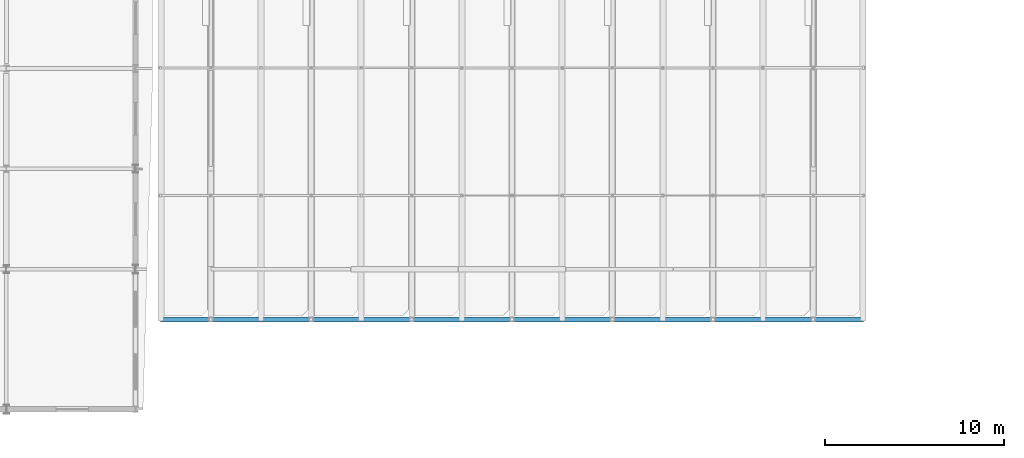
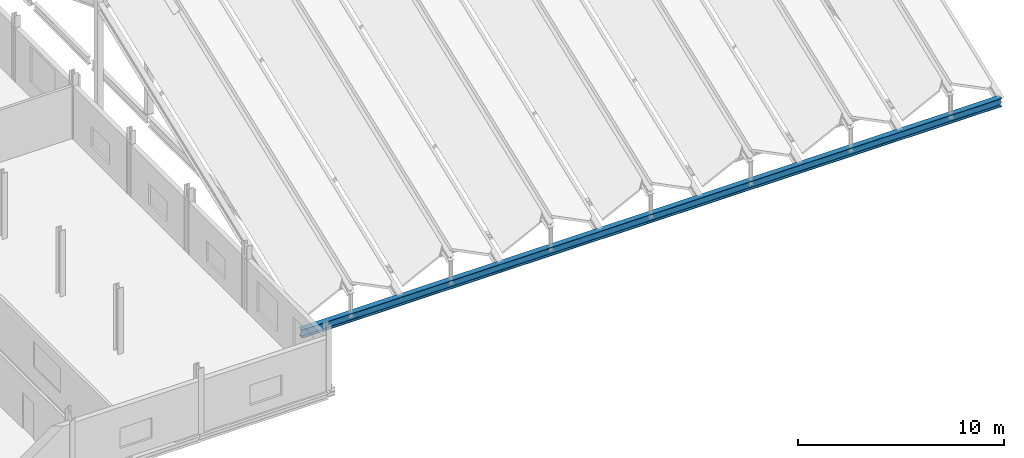
# One storey, part 12 of 49: 1 beam.
"""IFC4 building model written with IfcOpenShell, lengths in metres."""

from ifc_helpers import new_model, si_unit, direction, frame, origin, origin_2d, place, context, subcontext, project, spatial, i_section, extrude, material, material_profile, profile_set, type_object, element, save


model = new_model("IFC4")

# Units and contexts
model_context = context("Model", 3, precision=1e-05, world=origin(), true_north=direction((0.0, 1.0)))
body_context = subcontext(model_context, "Body", "Model", "MODEL_VIEW")
ifc_project = project(units=[si_unit("LENGTHUNIT", "METRE"), si_unit("AREAUNIT", "SQUARE_METRE"), si_unit("VOLUMEUNIT", "CUBIC_METRE"), si_unit("PLANEANGLEUNIT", "RADIAN"), si_unit("MASSUNIT", "GRAM", prefix="KILO")], contexts=[model_context])

# Site, building, storey
site_placement = place(None, origin())
site = spatial("IfcSite", under=ifc_project, at=site_placement, CompositionType="ELEMENT")
building_placement = place(site_placement, origin())
building = spatial("IfcBuilding", under=site, at=building_placement, Name="Vinh Khe Railworks Police Headquarters", CompositionType="ELEMENT")
storey_placement = place(building_placement, frame((0.0, 0.0, 17.10009765625)))
storey = spatial("IfcBuildingStorey", under=building, at=storey_placement, Name="L04", CompositionType="ELEMENT", Elevation=17.10009765625)

# Beam
ifc_material = material(Name="Steel S355JR", Category="steel")
ifc_material_profile = material_profile(ifc_material, i_section(OverallWidth=0.300048828125, OverallDepth=0.5, WebThickness=0.014404296875, FlangeThickness=0.028076171875, FilletRadius=0.027099609375, at=origin_2d()), Name="HEB 500")
ifc_profile_set = profile_set([ifc_material_profile], Name="Steel S355JR")
beam_type = type_object("IfcBeamType", Name="Steel Girder HEB 500", PredefinedType="BEAM", material=ifc_profile_set)
beam_placement = place(storey_placement, frame((23.60009765625, 22.39990234375, -0.191162109375), z_axis=(1.0, 0.0, 0.0), x_axis=(0.0, 1.0, 0.0)))
element("IfcBeam", 1, at=beam_placement, inside=storey, type_object=beam_type, Name="Folded Roof Eaves Girder 01", PredefinedType="BEAM", context=body_context, shape_type="SweptSolid", body=[
    extrude(i_section(OverallWidth=0.300048828125, OverallDepth=0.5, WebThickness=0.014404296875, FlangeThickness=0.028076171875, FilletRadius=0.027099609375, at=origin_2d()), origin(), (0.0, 0.0, 1.0), 39.199951171875),
])

save(model, "model.ifc")
